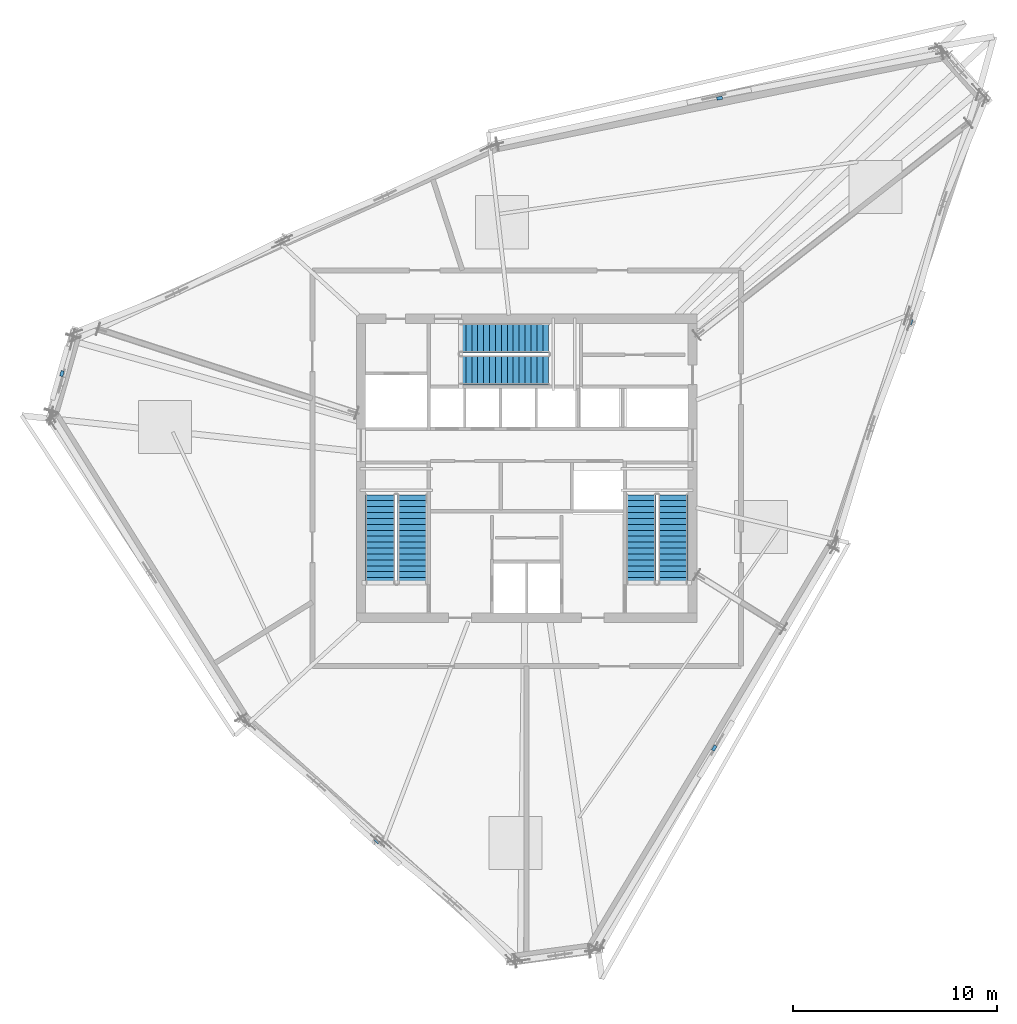
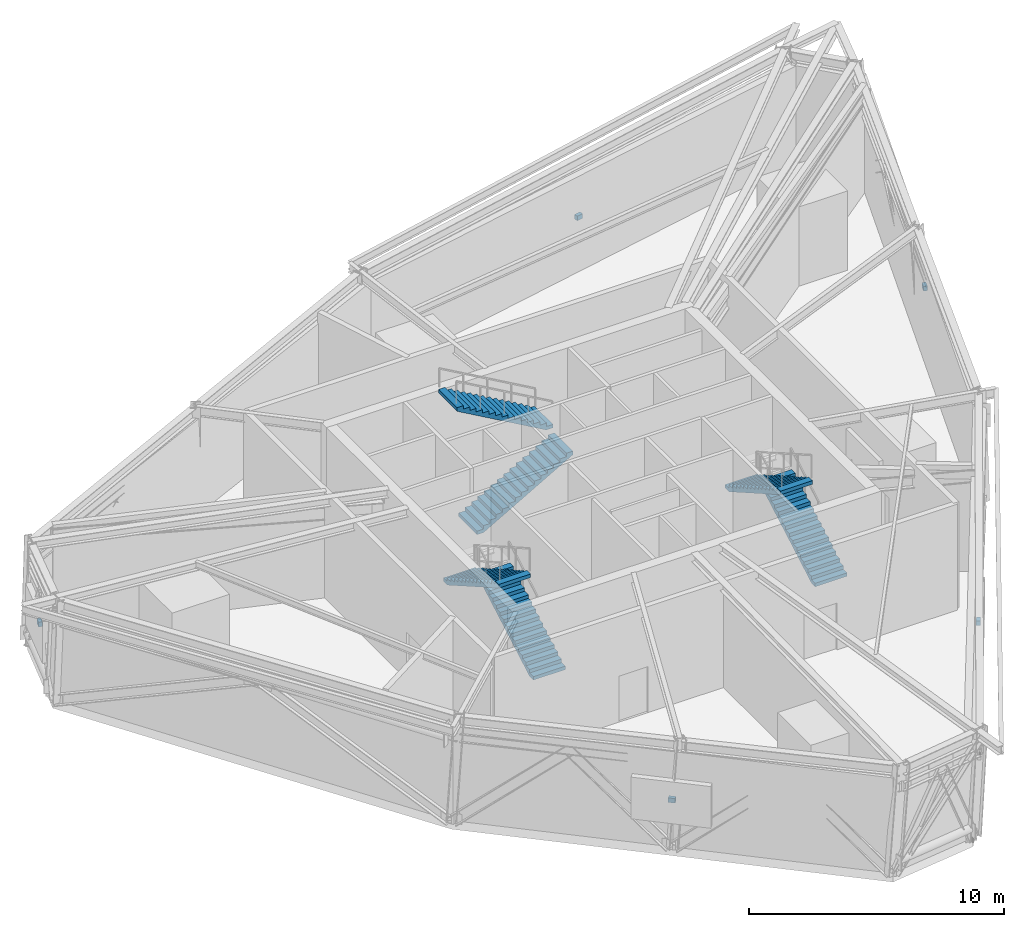
# One storey, part 11 of 15: 6 stair flights, 5 discrete accessories, 3 elements without a shape of their own.
"""IFC4 building model written with IfcOpenShell, lengths in metres."""

from ifc_helpers import new_model, si_unit, direction, frame, origin, origin_2d, place, context, subcontext, project, spatial, polyline, rectangle, outline, extrude, source, transform, mapped, material, type_object, element, aggregate, save


model = new_model("IFC4")

# Units and contexts
model_context = context("Model", 3, precision=1e-05, world=origin(), true_north=direction((0.0, 1.0)))
body_context = subcontext(model_context, "Body", "Model", "MODEL_VIEW")
ifc_project = project(units=[si_unit("LENGTHUNIT", "METRE"), si_unit("AREAUNIT", "SQUARE_METRE"), si_unit("VOLUMEUNIT", "CUBIC_METRE"), si_unit("PLANEANGLEUNIT", "RADIAN"), si_unit("MASSUNIT", "GRAM", prefix="KILO")], contexts=[model_context])

# Site, building, storey
site_placement = place(None, origin())
site = spatial("IfcSite", under=ifc_project, at=site_placement, CompositionType="ELEMENT")
building_placement = place(site_placement, origin())
building = spatial("IfcBuilding", under=site, at=building_placement, Name="Olszyna Solenne Hotel", CompositionType="ELEMENT")
storey_placement = place(building_placement, frame((0.0, 0.0, 204.300048828125)))
storey = spatial("IfcBuildingStorey", under=building, at=storey_placement, Name="L54", CompositionType="ELEMENT", Elevation=204.300048828125)

# Stair, stair flights
ifc_material_1 = material(Name="Concrete C40/50", Category="concrete")
stair_type = type_object("IfcStairType", Name="STR-C1", PredefinedType="TWO_QUARTER_WINDING_STAIR", material=ifc_material_1)
stair_1_placement = place(storey_placement, origin())
stair_1 = element("IfcStair", 1, at=stair_1_placement, inside=storey, type_object=stair_type, Name="L54 ST1", PredefinedType="TWO_QUARTER_WINDING_STAIR")
stair_flight_type = type_object("IfcStairFlightType", Name="FLT-C1", PredefinedType="STRAIGHT", material=ifc_material_1)
stair_flight_1_placement = place(storey_placement, frame((32.39501953125, 20.949951171875, 0.0), z_axis=(0.0, 0.0, 1.0), x_axis=(0.0, 1.0, 0.0)))
stair_flight_1 = element("IfcStairFlight", 2, at=stair_flight_1_placement, type_object=stair_flight_type, Name="ST1 flight 1", NumberOfRisers=16, NumberOfTreads=15, PredefinedType="STRAIGHT", RiserHeight=0.165625, TreadLength=0.29, context=body_context, shape_type="SweptSolid", body=[
    extrude(outline(polyline([(0.0, 0.0), (0.0, 0.16552734375), (0.2900390625, 0.16552734375), (0.2900390625, 0.331298828125), (0.580078125, 0.331298828125), (0.580078125, 0.496826171875), (0.8701171875, 0.496826171875), (0.8701171875, 0.66259765625), (1.159912109375, 0.66259765625), (1.159912109375, 0.828125), (1.449951171875, 0.828125), (1.449951171875, 0.99365234375), (1.739990234375, 0.99365234375), (1.739990234375, 1.159423828125), (2.030029296875, 1.159423828125), (2.030029296875, 1.324951171875), (2.320068359375, 1.324951171875), (2.320068359375, 1.49072265625), (2.610107421875, 1.49072265625), (2.610107421875, 1.65625), (2.89990234375, 1.65625), (2.89990234375, 1.82177734375), (3.18994140625, 1.82177734375), (3.18994140625, 1.987548828125), (3.47998046875, 1.987548828125), (3.47998046875, 2.153076171875), (3.77001953125, 2.153076171875), (3.77001953125, 2.31884765625), (4.06005859375, 2.31884765625), (4.06005859375, 2.484375), (4.35009765625, 2.484375), (4.35009765625, 2.64990234375), (4.35009765625, 2.311767578125), (0.30224609375, 0.0), (0.0, 0.0)])), frame((0.0, 0.72509765625, 0.0), z_axis=(0.0, -1.0, 0.0), x_axis=(1.0, 0.0, 0.0)), (0.0, 0.0, 1.0), 1.449951171875),
])
stair_flight_2_placement = place(storey_placement, frame((30.824951171875, 25.300048828125, 2.64990234375), z_axis=(0.0, 0.0, 1.0), x_axis=(0.0, -1.0, 0.0)))
stair_flight_2 = element("IfcStairFlight", 3, at=stair_flight_2_placement, type_object=stair_flight_type, Name="ST1 flight 2", NumberOfRisers=16, NumberOfTreads=15, PredefinedType="STRAIGHT", RiserHeight=0.165625, TreadLength=0.29, context=body_context, shape_type="SweptSolid", body=[
    extrude(outline(polyline([(0.0, 0.0), (0.0, 0.16552734375), (0.2900390625, 0.16552734375), (0.2900390625, 0.331298828125), (0.580078125, 0.331298828125), (0.580078125, 0.496826171875), (0.8701171875, 0.496826171875), (0.8701171875, 0.66259765625), (1.159912109375, 0.66259765625), (1.159912109375, 0.828125), (1.449951171875, 0.828125), (1.449951171875, 0.99365234375), (1.739990234375, 0.99365234375), (1.739990234375, 1.159423828125), (2.030029296875, 1.159423828125), (2.030029296875, 1.324951171875), (2.320068359375, 1.324951171875), (2.320068359375, 1.49072265625), (2.610107421875, 1.49072265625), (2.610107421875, 1.65625), (2.89990234375, 1.65625), (2.89990234375, 1.82177734375), (3.18994140625, 1.82177734375), (3.18994140625, 1.987548828125), (3.47998046875, 1.987548828125), (3.47998046875, 2.153076171875), (3.77001953125, 2.153076171875), (3.77001953125, 2.31884765625), (4.06005859375, 2.31884765625), (4.06005859375, 2.484375), (4.35009765625, 2.484375), (4.35009765625, 2.64990234375), (4.35009765625, 2.311767578125), (0.30224609375, 0.0), (0.0, 0.0)])), frame((0.0, 0.72509765625, 0.0), z_axis=(0.0, -1.0, 0.0), x_axis=(1.0, 0.0, 0.0)), (0.0, 0.0, 1.0), 1.449951171875),
])
aggregate(stair_1, [stair_flight_1, stair_flight_2])

stair_2_placement = place(storey_placement, origin())
stair_2 = element("IfcStair", 4, at=stair_2_placement, inside=storey, type_object=stair_type, Name="L54 ST2", PredefinedType="TWO_QUARTER_WINDING_STAIR")
stair_flight_3_placement = place(storey_placement, frame((45.175048828125, 20.949951171875, 0.0), z_axis=(0.0, 0.0, 1.0), x_axis=(0.0, 1.0, 0.0)))
stair_flight_3 = element("IfcStairFlight", 5, at=stair_flight_3_placement, type_object=stair_flight_type, Name="ST2 flight 1", NumberOfRisers=16, NumberOfTreads=15, PredefinedType="STRAIGHT", RiserHeight=0.165625, TreadLength=0.29, context=body_context, shape_type="SweptSolid", body=[
    extrude(outline(polyline([(0.0, 0.0), (0.0, 0.16552734375), (0.2900390625, 0.16552734375), (0.2900390625, 0.331298828125), (0.580078125, 0.331298828125), (0.580078125, 0.496826171875), (0.8701171875, 0.496826171875), (0.8701171875, 0.66259765625), (1.159912109375, 0.66259765625), (1.159912109375, 0.828125), (1.449951171875, 0.828125), (1.449951171875, 0.99365234375), (1.739990234375, 0.99365234375), (1.739990234375, 1.159423828125), (2.030029296875, 1.159423828125), (2.030029296875, 1.324951171875), (2.320068359375, 1.324951171875), (2.320068359375, 1.49072265625), (2.610107421875, 1.49072265625), (2.610107421875, 1.65625), (2.89990234375, 1.65625), (2.89990234375, 1.82177734375), (3.18994140625, 1.82177734375), (3.18994140625, 1.987548828125), (3.47998046875, 1.987548828125), (3.47998046875, 2.153076171875), (3.77001953125, 2.153076171875), (3.77001953125, 2.31884765625), (4.06005859375, 2.31884765625), (4.06005859375, 2.484375), (4.35009765625, 2.484375), (4.35009765625, 2.64990234375), (4.35009765625, 2.311767578125), (0.30224609375, 0.0), (0.0, 0.0)])), frame((0.0, 0.72509765625, 0.0), z_axis=(0.0, -1.0, 0.0), x_axis=(1.0, 0.0, 0.0)), (0.0, 0.0, 1.0), 1.449951171875),
])
stair_flight_4_placement = place(storey_placement, frame((43.60498046875, 25.300048828125, 2.64990234375), z_axis=(0.0, 0.0, 1.0), x_axis=(0.0, -1.0, 0.0)))
stair_flight_4 = element("IfcStairFlight", 6, at=stair_flight_4_placement, type_object=stair_flight_type, Name="ST2 flight 2", NumberOfRisers=16, NumberOfTreads=15, PredefinedType="STRAIGHT", RiserHeight=0.165625, TreadLength=0.29, context=body_context, shape_type="SweptSolid", body=[
    extrude(outline(polyline([(0.0, 0.0), (0.0, 0.16552734375), (0.2900390625, 0.16552734375), (0.2900390625, 0.331298828125), (0.580078125, 0.331298828125), (0.580078125, 0.496826171875), (0.8701171875, 0.496826171875), (0.8701171875, 0.66259765625), (1.159912109375, 0.66259765625), (1.159912109375, 0.828125), (1.449951171875, 0.828125), (1.449951171875, 0.99365234375), (1.739990234375, 0.99365234375), (1.739990234375, 1.159423828125), (2.030029296875, 1.159423828125), (2.030029296875, 1.324951171875), (2.320068359375, 1.324951171875), (2.320068359375, 1.49072265625), (2.610107421875, 1.49072265625), (2.610107421875, 1.65625), (2.89990234375, 1.65625), (2.89990234375, 1.82177734375), (3.18994140625, 1.82177734375), (3.18994140625, 1.987548828125), (3.47998046875, 1.987548828125), (3.47998046875, 2.153076171875), (3.77001953125, 2.153076171875), (3.77001953125, 2.31884765625), (4.06005859375, 2.31884765625), (4.06005859375, 2.484375), (4.35009765625, 2.484375), (4.35009765625, 2.64990234375), (4.35009765625, 2.311767578125), (0.30224609375, 0.0), (0.0, 0.0)])), frame((0.0, 0.72509765625, 0.0), z_axis=(0.0, -1.0, 0.0), x_axis=(1.0, 0.0, 0.0)), (0.0, 0.0, 1.0), 1.449951171875),
])
aggregate(stair_2, [stair_flight_3, stair_flight_4])

stair_3_placement = place(storey_placement, origin())
stair_3 = element("IfcStair", 7, at=stair_3_placement, inside=storey, type_object=stair_type, Name="L54 ST3", PredefinedType="TWO_QUARTER_WINDING_STAIR")
stair_flight_5_placement = place(storey_placement, frame((34.72998046875, 31.405029296875, 0.0), z_axis=(0.0, 0.0, 1.0), x_axis=(1.0, 0.0, 0.0)))
stair_flight_5 = element("IfcStairFlight", 8, at=stair_flight_5_placement, type_object=stair_flight_type, Name="ST3 flight 1", NumberOfRisers=16, NumberOfTreads=15, PredefinedType="STRAIGHT", RiserHeight=0.165625, TreadLength=0.29, context=body_context, shape_type="SweptSolid", body=[
    extrude(outline(polyline([(0.0, 0.0), (0.0, 0.16552734375), (0.2900390625, 0.16552734375), (0.2900390625, 0.331298828125), (0.580078125, 0.331298828125), (0.580078125, 0.496826171875), (0.8701171875, 0.496826171875), (0.8701171875, 0.66259765625), (1.159912109375, 0.66259765625), (1.159912109375, 0.828125), (1.449951171875, 0.828125), (1.449951171875, 0.99365234375), (1.739990234375, 0.99365234375), (1.739990234375, 1.159423828125), (2.030029296875, 1.159423828125), (2.030029296875, 1.324951171875), (2.320068359375, 1.324951171875), (2.320068359375, 1.49072265625), (2.610107421875, 1.49072265625), (2.610107421875, 1.65625), (2.89990234375, 1.65625), (2.89990234375, 1.82177734375), (3.18994140625, 1.82177734375), (3.18994140625, 1.987548828125), (3.47998046875, 1.987548828125), (3.47998046875, 2.153076171875), (3.77001953125, 2.153076171875), (3.77001953125, 2.31884765625), (4.06005859375, 2.31884765625), (4.06005859375, 2.484375), (4.35009765625, 2.484375), (4.35009765625, 2.64990234375), (4.35009765625, 2.311767578125), (0.30224609375, 0.0), (0.0, 0.0)])), frame((0.0, 0.72509765625, 0.0), z_axis=(0.0, -1.0, 0.0), x_axis=(1.0, 0.0, 0.0)), (0.0, 0.0, 1.0), 1.449951171875),
])
stair_flight_6_placement = place(storey_placement, frame((39.080078125, 32.97509765625, 2.64990234375), z_axis=(0.0, 0.0, 1.0), x_axis=(-1.0, 0.0, 0.0)))
stair_flight_6 = element("IfcStairFlight", 9, at=stair_flight_6_placement, type_object=stair_flight_type, Name="ST3 flight 2", NumberOfRisers=16, NumberOfTreads=15, PredefinedType="STRAIGHT", RiserHeight=0.165625, TreadLength=0.29, context=body_context, shape_type="SweptSolid", body=[
    extrude(outline(polyline([(0.0, 0.0), (0.0, 0.16552734375), (0.2900390625, 0.16552734375), (0.2900390625, 0.331298828125), (0.580078125, 0.331298828125), (0.580078125, 0.496826171875), (0.8701171875, 0.496826171875), (0.8701171875, 0.66259765625), (1.159912109375, 0.66259765625), (1.159912109375, 0.828125), (1.449951171875, 0.828125), (1.449951171875, 0.99365234375), (1.739990234375, 0.99365234375), (1.739990234375, 1.159423828125), (2.030029296875, 1.159423828125), (2.030029296875, 1.324951171875), (2.320068359375, 1.324951171875), (2.320068359375, 1.49072265625), (2.610107421875, 1.49072265625), (2.610107421875, 1.65625), (2.89990234375, 1.65625), (2.89990234375, 1.82177734375), (3.18994140625, 1.82177734375), (3.18994140625, 1.987548828125), (3.47998046875, 1.987548828125), (3.47998046875, 2.153076171875), (3.77001953125, 2.153076171875), (3.77001953125, 2.31884765625), (4.06005859375, 2.31884765625), (4.06005859375, 2.484375), (4.35009765625, 2.484375), (4.35009765625, 2.64990234375), (4.35009765625, 2.311767578125), (0.30224609375, 0.0), (0.0, 0.0)])), frame((0.0, 0.72509765625, 0.0), z_axis=(0.0, -1.0, 0.0), x_axis=(1.0, 0.0, 0.0)), (0.0, 0.0, 1.0), 1.449951171875),
])
aggregate(stair_3, [stair_flight_5, stair_flight_6])

# Discrete accessories
ifc_material_2 = material(Name="Steel S355J2", Category="steel")
discrete_accessory_type = type_object("IfcDiscreteAccessoryType", Name="BRK-01", PredefinedType="BRACKET", material=ifc_material_2)
shared_shape = source(origin(), body_context, "Body", "SweptSolid", [
    extrude(rectangle(XDim=0.280029296875, YDim=0.159912109375, at=origin_2d()), origin(), (0.0, 0.0, 1.0), 0.219970703125),
])
for number, where, z_axis, x_axis, name in (
    (10, (47.1875, 12.887451171875, 2.17578125), (0.0, 0.0, 1.0), (-0.513691004814, -0.857975262798, 0.0), "Facade support bracket BRK-LV-L54-01"),
    (11, (30.673095703125, 8.328857421875, 2.17578125), (0.0, 0.0, 1.0), (-0.745475999683, 0.666532470249, 0.0), "Facade support bracket BRK-LV-L54-03"),
    (12, (15.22412109375, 31.239013671875, 2.17578125), (0.0, 0.0, 1.0), (0.275637355817, 0.961261695938, 0.0), "Facade support bracket BRK-LV-L54-05"),
    (13, (47.452880859375, 44.734130859375, 2.17578125), (0.0, 0.0, 1.0), (0.979785280755, 0.200052002278, 0.0), "Facade support bracket BRK-LV-L54-07"),
    (14, (56.817626953125, 33.77685546875, 2.17578125), (0.0, 0.0, 1.0), (-0.318793887648, -0.947824064475, 0.0), "Facade support bracket BRK-LV-L54-09"),
):
    element("IfcDiscreteAccessory", number, at=place(storey_placement, frame(where, z_axis=z_axis, x_axis=x_axis)), inside=storey, type_object=discrete_accessory_type, Name=name, PredefinedType="BRACKET", context=body_context, shape_type="MappedRepresentation", body=[
        mapped(shared_shape, transform((0.0, 0.0, 0.0), x_axis=(1.0, 0.0, 0.0), y_axis=(0.0, 1.0, 0.0), z_axis=(0.0, 0.0, 1.0), scale=1.0)),
    ])

save(model, "model.ifc")
